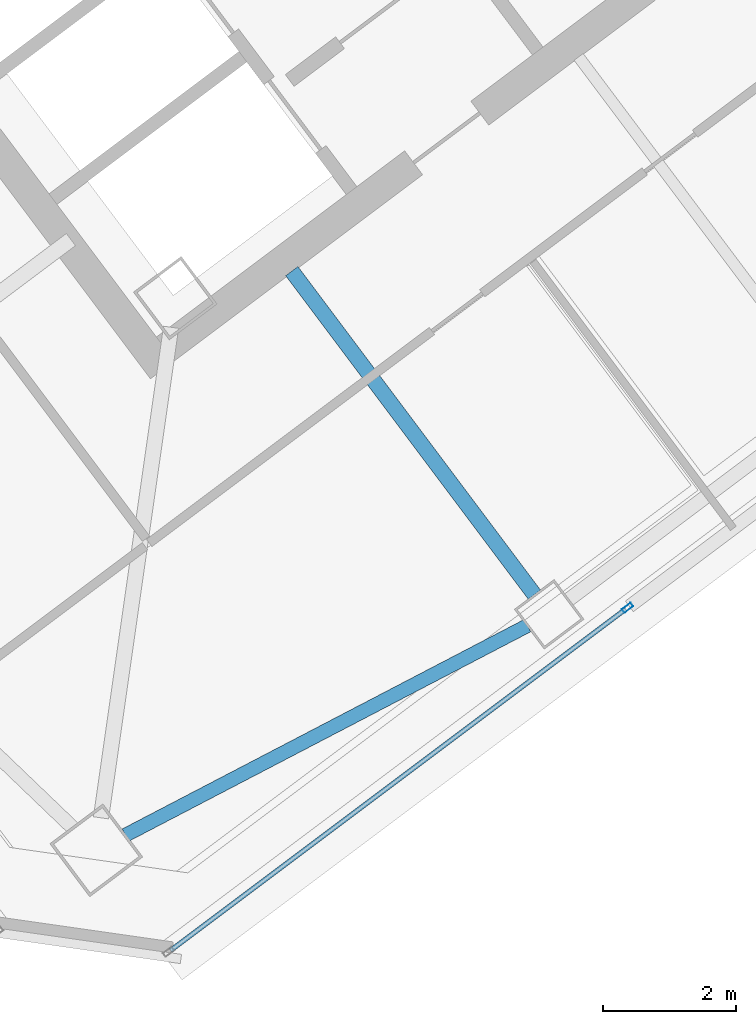
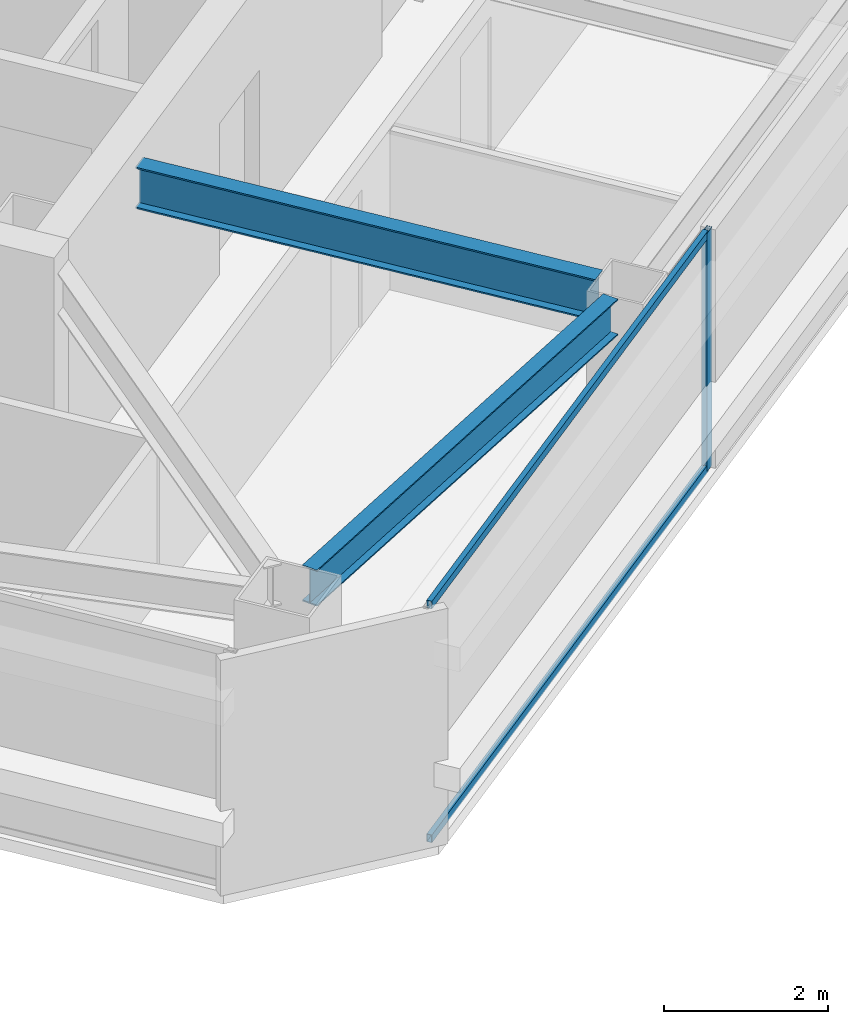
# One storey, part 18 of 39: 3 members, 2 beams, 1 element without a shape of its own.
"""IFC4 building model written with IfcOpenShell, lengths in metres."""

from ifc_helpers import new_model, si_unit, direction, frame, origin, origin_2d, place, context, subcontext, project, spatial, hollow_rectangle, i_section, extrude, material, material_profile, profile_set, type_object, element, aggregate, save


model = new_model("IFC4")

# Units and contexts
model_context = context("Model", 3, precision=1e-05, world=origin(), true_north=direction((0.0, 1.0)))
body_context = subcontext(model_context, "Body", "Model", "MODEL_VIEW")
ifc_project = project(units=[si_unit("LENGTHUNIT", "METRE"), si_unit("AREAUNIT", "SQUARE_METRE"), si_unit("VOLUMEUNIT", "CUBIC_METRE"), si_unit("PLANEANGLEUNIT", "RADIAN"), si_unit("MASSUNIT", "GRAM", prefix="KILO")], contexts=[model_context])

# Site, building, storey
site_placement = place(None, origin())
site = spatial("IfcSite", under=ifc_project, at=site_placement, CompositionType="ELEMENT")
building_placement = place(site_placement, origin())
building = spatial("IfcBuilding", under=site, at=building_placement, Name="Tashvorn Skyway Center", CompositionType="ELEMENT")
storey_placement = place(building_placement, frame((0.0, 0.0, 243.25)))
storey = spatial("IfcBuildingStorey", under=building, at=storey_placement, Name="L66", CompositionType="ELEMENT", Elevation=243.25)

# Beams
ifc_material_1 = material(Name="Steel ASTM A992 Grade 50", Category="steel")
ifc_material_profile_1 = material_profile(ifc_material_1, i_section(OverallWidth=0.22998046875, OverallDepth=0.616943359375, WebThickness=0.01318359375, FlangeThickness=0.022216796875, at=origin_2d()), Name="W24X94")
ifc_profile_set_1 = profile_set([ifc_material_profile_1], Name="Steel ASTM A992 Grade 50")
beam_type_1 = type_object("IfcBeamType", Name="BM-BEAM-W24X94", PredefinedType="BEAM", material=ifc_profile_set_1)
beam_1_placement = place(storey_placement, frame((118.008056640625, 17.656005859375, 2.94140625), z_axis=(-0.600025614447, 0.799980788524, 0.0), x_axis=(-0.799980788524, -0.600025614447, 0.0)))
element("IfcBeam", 1, at=beam_1_placement, inside=storey, type_object=beam_type_1, Name="Tower 2 L66 Primary Floor Girder FC-S1", PredefinedType="BEAM", context=body_context, shape_type="SweptSolid", body=[
    extrude(i_section(OverallWidth=0.22998046875, OverallDepth=0.616943359375, WebThickness=0.01318359375, FlangeThickness=0.022216796875, at=origin_2d()), origin(), (0.0, 0.0, 1.0), 6.10009765625),
])
ifc_material_profile_2 = material_profile(ifc_material_1, i_section(OverallWidth=0.2109375, OverallDepth=0.5390625, WebThickness=0.01171875, FlangeThickness=0.018798828125, at=origin_2d()), Name="W21X73")
ifc_profile_set_2 = profile_set([ifc_material_profile_2], Name="Steel ASTM A992 Grade 50")
beam_type_2 = type_object("IfcBeamType", Name="BM-SPANDREL-W21X73", PredefinedType="SPANDREL", material=ifc_profile_set_2)
beam_2_placement = place(storey_placement, frame((111.8388671875, 14.02880859375, 2.98046875), z_axis=(0.886773234579, 0.462204749472, 0.0), x_axis=(-0.462204749472, 0.886773234579, 0.0)))
element("IfcBeam", 2, at=beam_2_placement, inside=storey, type_object=beam_type_2, Name="Tower 2 L66 Spandrel Beam 01", PredefinedType="SPANDREL", context=body_context, shape_type="SweptSolid", body=[
    extrude(i_section(OverallWidth=0.2109375, OverallDepth=0.5390625, WebThickness=0.01171875, FlangeThickness=0.018798828125, at=origin_2d()), origin(), (0.0, 0.0, 1.0), 6.837158203125),
])

# Curtain wall, members
ifc_material_2 = material(Name="Thermally broken bronze-anodized aluminium 6063-T6", Category="aluminium")
curtain_wall_type = type_object("IfcCurtainWallType", Name="CW-CW-Z5", PredefinedType="NOTDEFINED", material=ifc_material_2)
curtain_wall_placement = place(storey_placement, origin())
curtain_wall = element("IfcCurtainWall", 3, at=curtain_wall_placement, inside=storey, type_object=curtain_wall_type, Name="Tower 2 L66 South Unitised Curtain Wall Glazing Group 2", PredefinedType="NOTDEFINED")
ifc_material_profile_3 = material_profile(ifc_material_2, hollow_rectangle(XDim=0.070068359375, YDim=0.1650390625, WallThickness=0.00390625, at=origin_2d()), Name="ALU-MULL-70x165")
ifc_profile_set_3 = profile_set([ifc_material_profile_3], Name="Thermally broken bronze-anodized aluminium 6063-T6")
member_type_1 = type_object("IfcMemberType", Name="CWM-CW-Z5", PredefinedType="MULLION", material=ifc_profile_set_3)
member_1_placement = place(storey_placement, frame((119.412109375, 17.458984375, 0.0), z_axis=(0.0, 0.0, 1.0), x_axis=(0.600000000002, -0.799999999998, 0.0)))
member_1 = element("IfcMember", 4, at=member_1_placement, type_object=member_type_1, Name="CW-Z5 mullion 1", PredefinedType="MULLION", context=body_context, shape_type="SweptSolid", body=[
    extrude(hollow_rectangle(XDim=0.070068359375, YDim=0.1650390625, WallThickness=0.00390625, at=origin_2d()), origin(), (0.0, 0.0, 1.0), 3.550048828125),
])
ifc_material_profile_4 = material_profile(ifc_material_2, hollow_rectangle(XDim=0.070068359375, YDim=0.114990234375, WallThickness=0.00390625, at=origin_2d()), Name="ALU-TRAN-70x115")
ifc_profile_set_4 = profile_set([ifc_material_profile_4], Name="Thermally broken bronze-anodized aluminium 6063-T6")
member_type_2 = type_object("IfcMemberType", Name="CWT-CW-Z5", PredefinedType="USERDEFINED", material=ifc_profile_set_4)
member_2_placement = place(storey_placement, frame((119.384033203125, 17.43798828125, 0.034912109375), z_axis=(-0.800003414549, -0.599995447241, 0.0), x_axis=(0.599995447241, -0.800003414549, 0.0)))
member_2 = element("IfcMember", 5, at=member_2_placement, type_object=member_type_2, Name="CW-Z5 transom 1.1", ObjectType="TRANSOM", PredefinedType="USERDEFINED", context=body_context, shape_type="SweptSolid", body=[
    extrude(hollow_rectangle(XDim=0.070068359375, YDim=0.114990234375, WallThickness=0.00390625, at=origin_2d()), origin(), (0.0, 0.0, 1.0), 8.580078125),
])
member_3_placement = place(storey_placement, frame((119.384033203125, 17.43798828125, 3.514892578125), z_axis=(-0.800003414549, -0.599995447241, 0.0), x_axis=(0.599995447241, -0.800003414549, 0.0)))
member_3 = element("IfcMember", 6, at=member_3_placement, type_object=member_type_2, Name="CW-Z5 transom 1.2", ObjectType="TRANSOM", PredefinedType="USERDEFINED", context=body_context, shape_type="SweptSolid", body=[
    extrude(hollow_rectangle(XDim=0.070068359375, YDim=0.114990234375, WallThickness=0.00390625, at=origin_2d()), origin(), (0.0, 0.0, 1.0), 8.580078125),
])
aggregate(curtain_wall, [member_1, member_2, member_3])

save(model, "model.ifc")
